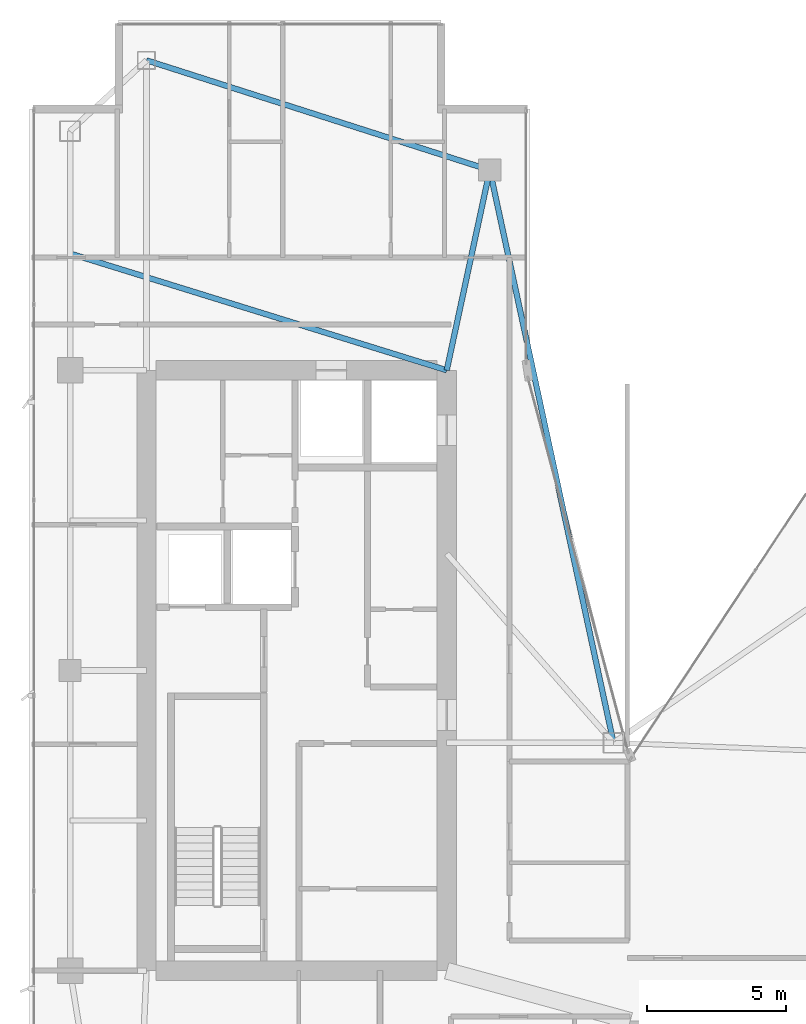
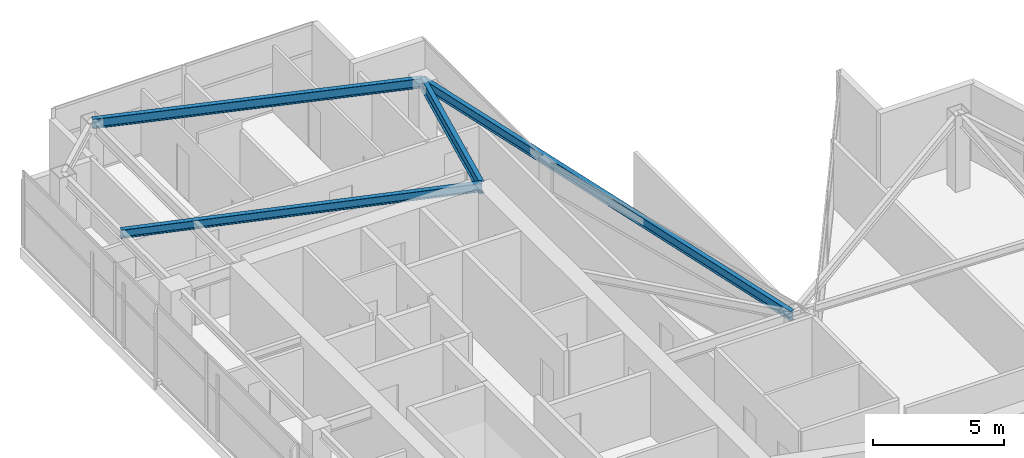
# One storey, part 18 of 28: 4 beams.
"""IFC4 building model written with IfcOpenShell, lengths in metres."""

from ifc_helpers import new_model, si_unit, direction, frame, origin, origin_2d, place, context, subcontext, project, spatial, i_section, extrude, material, material_profile, profile_set, type_object, element, save


model = new_model("IFC4")

# Units and contexts
model_context = context("Model", 3, precision=1e-05, world=origin(), true_north=direction((0.0, 1.0)))
body_context = subcontext(model_context, "Body", "Model", "MODEL_VIEW")
ifc_project = project(units=[si_unit("LENGTHUNIT", "METRE"), si_unit("AREAUNIT", "SQUARE_METRE"), si_unit("VOLUMEUNIT", "CUBIC_METRE"), si_unit("PLANEANGLEUNIT", "RADIAN"), si_unit("MASSUNIT", "GRAM", prefix="KILO")], contexts=[model_context])

# Site, building, storey
site_placement = place(None, origin())
site = spatial("IfcSite", under=ifc_project, at=site_placement, CompositionType="ELEMENT")
building_placement = place(site_placement, origin())
building = spatial("IfcBuilding", under=site, at=building_placement, Name="Calvorn Quay Hotel", CompositionType="ELEMENT")
storey_placement = place(building_placement, frame((0.0, 0.0, 263.5)))
storey = spatial("IfcBuildingStorey", under=building, at=storey_placement, Name="L65", CompositionType="ELEMENT", Elevation=263.5)

# Beams
ifc_material_1 = material(Name="Steel Q355B", Category="steel")
ifc_material_profile_1 = material_profile(ifc_material_1, i_section(OverallWidth=0.199951171875, OverallDepth=0.550048828125, WebThickness=0.010009765625, FlangeThickness=0.01611328125, FilletRadius=0.01806640625, at=origin_2d()), Name="HN550x200x10x16")
ifc_profile_set_1 = profile_set([ifc_material_profile_1], Name="Steel Q355B")
beam_type_1 = type_object("IfcBeamType", Name="BM-GIRD-UPP", PredefinedType="BEAM", material=ifc_profile_set_1)
beam_1_placement = place(storey_placement, frame((16.550048828125, 45.60009765625, 3.264892578125), z_axis=(-0.210457140491, -0.97760308511, 0.0), x_axis=(0.97760308511, -0.210457140491, 0.0)))
element("IfcBeam", 1, at=beam_1_placement, inside=storey, type_object=beam_type_1, Name="Beam BG-L65-W6", PredefinedType="BEAM", context=body_context, shape_type="SweptSolid", body=[
    extrude(i_section(OverallWidth=0.199951171875, OverallDepth=0.550048828125, WebThickness=0.010009765625, FlangeThickness=0.01611328125, FilletRadius=0.01806640625, at=origin_2d()), origin(), (0.0, 0.0, 1.0), 7.365234375),
])
ifc_material_2 = material(Name="Steel Q355B", Category="steel")
ifc_material_profile_2 = material_profile(ifc_material_2, i_section(OverallWidth=0.199951171875, OverallDepth=0.39990234375, WebThickness=0.008056640625, FlangeThickness=0.012939453125, FilletRadius=0.01611328125, at=origin_2d()), Name="HN400x200x8x13")
ifc_profile_set_2 = profile_set([ifc_material_profile_2], Name="Steel Q355B")
beam_type_2 = type_object("IfcBeamType", Name="BM-JOIST-TYP", PredefinedType="JOIST", material=ifc_profile_set_2)
beam_2_placement = place(storey_placement, frame((1.449951171875, 42.60009765625, 3.340087890625), z_axis=(0.955163702122, -0.296078202759, 0.0), x_axis=(0.296078202759, 0.955163702122, 0.0)))
element("IfcBeam", 2, at=beam_2_placement, inside=storey, type_object=beam_type_2, Name="Beam BJ-L65-W2", PredefinedType="JOIST", context=body_context, shape_type="SweptSolid", body=[
    extrude(i_section(OverallWidth=0.199951171875, OverallDepth=0.39990234375, WebThickness=0.008056640625, FlangeThickness=0.012939453125, FilletRadius=0.01611328125, at=origin_2d()), origin(), (0.0, 0.0, 1.0), 14.18603515625),
])
ifc_material_3 = material(Name="Steel Q355B", Category="steel")
ifc_material_profile_3 = material_profile(ifc_material_3, i_section(OverallWidth=0.199951171875, OverallDepth=0.449951171875, WebThickness=0.009033203125, FlangeThickness=0.013916015625, FilletRadius=0.01611328125, at=origin_2d()), Name="HN450x200x9x14")
ifc_profile_set_3 = profile_set([ifc_material_profile_3], Name="Steel Q355B")
beam_type_3 = type_object("IfcBeamType", Name="BM-SPANDREL-Z3", PredefinedType="SPANDREL", material=ifc_profile_set_3)
beam_3_placement = place(storey_placement, frame((4.199951171875, 49.550048828125, 3.31494140625), z_axis=(0.952470702374, -0.304630203885, 0.0), x_axis=(0.304630203885, 0.952470702374, 0.0)))
element("IfcBeam", 3, at=beam_3_placement, inside=storey, type_object=beam_type_3, Name="Beam BSP-L65-W6", PredefinedType="SPANDREL", context=body_context, shape_type="SweptSolid", body=[
    extrude(i_section(OverallWidth=0.199951171875, OverallDepth=0.449951171875, WebThickness=0.009033203125, FlangeThickness=0.013916015625, FilletRadius=0.01611328125, at=origin_2d()), origin(), (0.0, 0.0, 1.0), 12.96630859375),
])
beam_4_placement = place(storey_placement, frame((16.550048828125, 45.60009765625, 3.31494140625), z_axis=(0.211145848376, -0.977454567084, 0.0), x_axis=(0.977454567084, 0.211145848376, 0.0)))
element("IfcBeam", 4, at=beam_4_placement, inside=storey, type_object=beam_type_3, Name="Beam BSP-L65-W7", PredefinedType="SPANDREL", context=body_context, shape_type="SweptSolid", body=[
    extrude(i_section(OverallWidth=0.199951171875, OverallDepth=0.449951171875, WebThickness=0.009033203125, FlangeThickness=0.013916015625, FilletRadius=0.01611328125, at=origin_2d()), origin(), (0.0, 0.0, 1.0), 21.0751953125),
])

save(model, "model.ifc")
